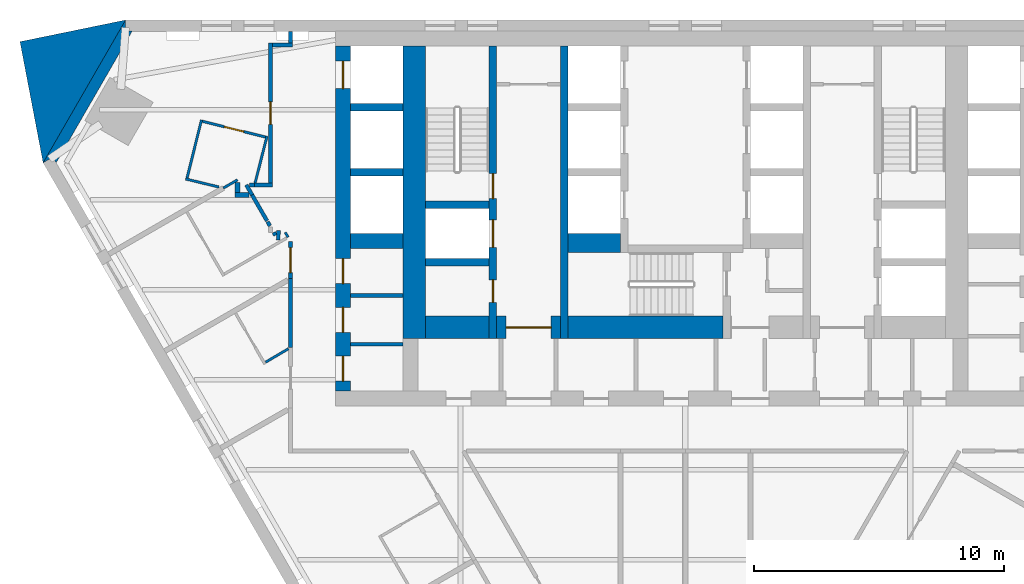
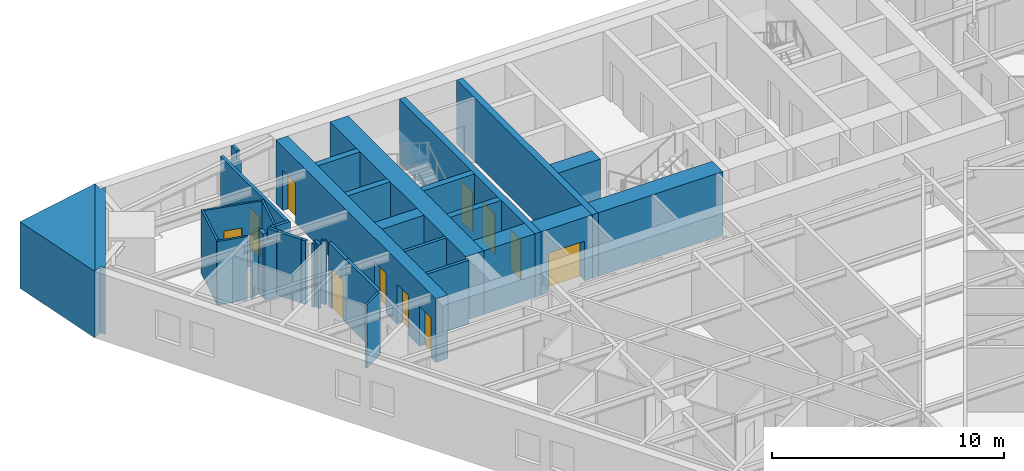
# One storey, part 6 of 10: 38 walls, 11 doors, 11 openings.
"""IFC4 building model written with IfcOpenShell, lengths in metres."""

from ifc_helpers import new_model, si_unit, direction, frame, frame_2d, origin, place, context, subcontext, project, spatial, polyline, rectangle, outline, extrude, material, layer, layer_set, type_object, element, fill, save


model = new_model("IFC4")

# Units and contexts
model_context = context("Model", 3, precision=1e-05, world=origin(), true_north=direction((0.0, 1.0)))
body_context = subcontext(model_context, "Body", "Model", "MODEL_VIEW")
ifc_project = project(units=[si_unit("LENGTHUNIT", "METRE"), si_unit("AREAUNIT", "SQUARE_METRE"), si_unit("VOLUMEUNIT", "CUBIC_METRE"), si_unit("PLANEANGLEUNIT", "RADIAN"), si_unit("MASSUNIT", "GRAM", prefix="KILO")], contexts=[model_context])

# Site, building, storey
site_placement = place(None, origin())
site = spatial("IfcSite", under=ifc_project, at=site_placement, CompositionType="ELEMENT")
building_placement = place(site_placement, origin())
building = spatial("IfcBuilding", under=site, at=building_placement, Name="Aloe Facet Convention Tower", CompositionType="ELEMENT")
storey_placement = place(building_placement, frame((0.0, 0.0, 59.5)))
storey = spatial("IfcBuildingStorey", under=building, at=storey_placement, Name="L13", CompositionType="ELEMENT", Elevation=59.5)

# Walls
ifc_material_1 = material(Name="Concrete blockwork partition", Category="masonry")
ifc_layer_1 = layer(ifc_material_1, 0.14990234375)
ifc_layer_set_1 = layer_set([ifc_layer_1], Name="CR-W-PART150")
wall_type_1 = type_object("IfcWallType", Name="CR-W-PART150", PredefinedType="PARTITIONING", material=ifc_layer_set_1)
for number, where, z_axis, x_axis, name in (
    (1, (66.60009765625, 123.97509765625, 0.0), (0.0, 0.0, 1.0), (1.0, 0.0, 0.0), "Core partition L13-007"),
    (2, (66.60009765625, 122.02490234375, 0.0), (0.0, 0.0, 1.0), (1.0, 0.0, 0.0), "Core partition L13-008"),
):
    element("IfcWall", number, at=place(storey_placement, frame(where, z_axis=z_axis, x_axis=x_axis)), inside=storey, type_object=wall_type_1, Name=name, PredefinedType="PARTITIONING", context=body_context, shape_type="SweptSolid", body=[
        extrude(rectangle(XDim=2.099853515625, YDim=0.14990234375, at=frame_2d((1.0498046875, 0.0))), origin(), (0.0, 0.0, 1.0), 3.35009765625),
    ])
ifc_material_2 = material(Name="Concrete C80/95", Category="concrete")
ifc_layer_2 = layer(ifc_material_2, 0.300048828125)
ifc_layer_set_2 = layer_set([ifc_layer_2], Name="CR-W-RC300-C8095")
wall_type_2 = type_object("IfcWallType", Name="CR-W-RC300-C8095", PredefinedType="SOLIDWALL", material=ifc_layer_set_2)
for number, where, z_axis, x_axis, name in (
    (3, (66.60009765625, 131.5, 0.0), (0.0, 0.0, 1.0), (1.0, 0.0, 0.0), "Core wall L13-004"),
    (4, (66.60009765625, 128.89990234375, 0.0), (0.0, 0.0, 1.0), (1.0, 0.0, 0.0), "Core wall L13-005"),
):
    element("IfcWall", number, at=place(storey_placement, frame(where, z_axis=z_axis, x_axis=x_axis)), inside=storey, type_object=wall_type_2, Name=name, PredefinedType="SOLIDWALL", context=body_context, shape_type="SweptSolid", body=[
        extrude(rectangle(XDim=2.099853515625, YDim=0.300048828125, at=frame_2d((1.0498046875, 0.0))), origin(), (0.0, 0.0, 1.0), 3.35009765625),
    ])
for number, where, z_axis, x_axis, name in (
    (5, (69.60009765625, 127.60009765625, 0.0), (0.0, 0.0, 1.0), (1.0, 0.0, 0.0), "Core wall L13-011"),
    (6, (69.60009765625, 125.300048828125, 0.0), (0.0, 0.0, 1.0), (1.0, 0.0, 0.0), "Core wall L13-012"),
):
    element("IfcWall", number, at=place(storey_placement, frame(where, z_axis=z_axis, x_axis=x_axis)), inside=storey, type_object=wall_type_2, Name=name, PredefinedType="SOLIDWALL", context=body_context, shape_type="SweptSolid", body=[
        extrude(rectangle(XDim=2.5498046875, YDim=0.300048828125, at=frame_2d((1.27490234375, 0.0))), origin(), (0.0, 0.0, 1.0), 3.35009765625),
    ])

# Wall, openings, doors
wall_1_placement = place(storey_placement, frame((72.300048828125, 133.949951171875, 0.0), z_axis=(0.0, 0.0, 1.0), x_axis=(0.0, -1.0, 0.0)))
wall_1 = element("IfcWall", 7, at=wall_1_placement, inside=storey, type_object=wall_type_2, Name="Core wall L13-014", PredefinedType="SOLIDWALL", context=body_context, shape_type="SweptSolid", body=[
    extrude(rectangle(XDim=11.699951171875, YDim=0.300048828125, at=frame_2d((5.85009765625, 0.0))), origin(), (0.0, 0.0, 1.0), 3.35009765625),
])
opening_1_placement = place(wall_1_placement, frame((6.949951171875, 0.0, 0.0)))
opening_1 = element("IfcOpeningElement", 8, at=opening_1_placement, cuts=wall_1, Name="Opening LD-FF1-L13", PredefinedType="OPENING", context=body_context, shape_type="SweptSolid", body=[
    extrude(rectangle(XDim=1.10009765625, YDim=2.10009765625, at=frame_2d((0.550048828125, 1.050048828125))), frame((0.0, 0.16015625, 0.0), z_axis=(0.0, -1.0, 0.0), x_axis=(1.0, 0.0, 0.0)), (0.0, 0.0, 1.0), 0.320068359375),
])
opening_2_placement = place(wall_1_placement, frame((9.35009765625, 0.0, 0.0)))
opening_2 = element("IfcOpeningElement", 9, at=opening_2_placement, cuts=wall_1, Name="Opening L13-CD23", PredefinedType="OPENING", context=body_context, shape_type="SweptSolid", body=[
    extrude(rectangle(XDim=0.89990234375, YDim=2.10009765625, at=frame_2d((0.449951171875, 1.050048828125))), frame((0.0, 0.16015625, 0.0), z_axis=(0.0, -1.0, 0.0), x_axis=(1.0, 0.0, 0.0)), (0.0, 0.0, 1.0), 0.320068359375),
])
opening_3_placement = place(wall_1_placement, frame((5.10009765625, 0.0, 0.0)))
opening_3 = element("IfcOpeningElement", 10, at=opening_3_placement, cuts=wall_1, Name="Opening L13-CD30", PredefinedType="OPENING", context=body_context, shape_type="SweptSolid", body=[
    extrude(rectangle(XDim=1.0, YDim=2.10009765625, at=frame_2d((0.5, 1.050048828125))), frame((0.0, 0.16015625, 0.0), z_axis=(0.0, -1.0, 0.0), x_axis=(1.0, 0.0, 0.0)), (0.0, 0.0, 1.0), 0.320068359375),
])
ifc_material_3 = material(Name="Steel fire-resisting door set FD60", Category="steel")
door_type_1 = type_object("IfcDoorType", Name="CR-D-ROOM-900-FD60-SLEFT", OperationType="SINGLE_SWING_LEFT", PredefinedType="DOOR", material=ifc_material_3)
door_1_placement = place(opening_2_placement, origin())
door_1 = element("IfcDoor", 11, at=door_1_placement, inside=storey, type_object=door_type_1, Name="Core door L13-CD23", OperationType="SINGLE_SWING_LEFT", OverallHeight=2.10009765625, OverallWidth=0.89990234375, PredefinedType="DOOR", context=body_context, shape_type="SweptSolid", body=[
    extrude(rectangle(XDim=0.89990234375, YDim=2.10009765625, at=frame_2d((0.449951171875, 1.050048828125))), frame((0.0, 0.02490234375, 0.0), z_axis=(0.0, -1.0, 0.0), x_axis=(1.0, 0.0, 0.0)), (0.0, 0.0, 1.0), 0.050048828125),
])
fill(opening_2, door_1)
ifc_material_4 = material(Name="Steel fire-resisting door set FD120", Category="steel")
door_type_2 = type_object("IfcDoorType", Name="CR-D-STAIR-1000-FD120-SRIGHT", OperationType="SINGLE_SWING_RIGHT", PredefinedType="DOOR", material=ifc_material_4)
door_2_placement = place(opening_3_placement, origin())
door_2 = element("IfcDoor", 12, at=door_2_placement, inside=storey, type_object=door_type_2, Name="Core door L13-CD30", OperationType="SINGLE_SWING_RIGHT", OverallHeight=2.10009765625, OverallWidth=1.0, PredefinedType="DOOR", context=body_context, shape_type="SweptSolid", body=[
    extrude(rectangle(XDim=1.0, YDim=2.10009765625, at=frame_2d((0.5, 1.050048828125))), frame((0.0, 0.02490234375, 0.0), z_axis=(0.0, -1.0, 0.0), x_axis=(1.0, 0.0, 0.0)), (0.0, 0.0, 1.0), 0.050048828125),
])
fill(opening_3, door_2)
ifc_material_5 = material(Name="Stainless steel sliding landing door", Category="steel")
door_type_3 = type_object("IfcDoorType", Name="CR-LD-1100-FD120-_LEFT", OperationType="SLIDING_TO_LEFT", PredefinedType="DOOR", material=ifc_material_5)
door_3_placement = place(opening_1_placement, origin())
door_3 = element("IfcDoor", 13, at=door_3_placement, inside=storey, type_object=door_type_3, Name="Landing door FF1 L13", OperationType="SLIDING_TO_LEFT", OverallHeight=2.10009765625, OverallWidth=1.10009765625, PredefinedType="DOOR", context=body_context, shape_type="SweptSolid", body=[
    extrude(rectangle(XDim=1.10009765625, YDim=2.10009765625, at=frame_2d((0.550048828125, 1.050048828125))), frame((0.0, 0.02490234375, 0.0), z_axis=(0.0, -1.0, 0.0), x_axis=(1.0, 0.0, 0.0)), (0.0, 0.0, 1.0), 0.050048828125),
])
fill(opening_1, door_3)

# Wall
wall_2_placement = place(storey_placement, frame((75.14990234375, 133.949951171875, 0.0), z_axis=(0.0, 0.0, 1.0), x_axis=(0.0, -1.0, 0.0)))
element("IfcWall", 14, at=wall_2_placement, inside=storey, type_object=wall_type_2, Name="Core wall L13-019", PredefinedType="SOLIDWALL", context=body_context, shape_type="SweptSolid", body=[
    extrude(rectangle(XDim=11.699951171875, YDim=0.300048828125, at=frame_2d((5.85009765625, 0.0))), origin(), (0.0, 0.0, 1.0), 3.35009765625),
])

# Wall, openings, doors
ifc_material_6 = material(Name="Concrete C80/95", Category="concrete")
ifc_layer_3 = layer(ifc_material_6, 0.60009765625)
ifc_layer_set_3 = layer_set([ifc_layer_3], Name="CR-W-RC600-C8095")
wall_type_3 = type_object("IfcWallType", Name="CR-W-RC600-C8095", PredefinedType="SOLIDWALL", material=ifc_layer_set_3)
wall_3_placement = place(storey_placement, frame((66.300048828125, 133.949951171875, 0.0), z_axis=(0.0, 0.0, 1.0), x_axis=(0.0, -1.0, 0.0)))
wall_3 = element("IfcWall", 15, at=wall_3_placement, inside=storey, type_object=wall_type_3, Name="Core wall L13-002", PredefinedType="SOLIDWALL", context=body_context, shape_type="SweptSolid", body=[
    extrude(rectangle(XDim=13.800048828125, YDim=0.60009765625, at=frame_2d((6.89990234375, 0.0))), origin(), (0.0, 0.0, 1.0), 3.35009765625),
])
opening_4_placement = place(wall_3_placement, frame((0.60009765625, 0.0, 0.0)))
opening_4 = element("IfcOpeningElement", 16, at=opening_4_placement, cuts=wall_3, Name="Opening LD-A7-L13", PredefinedType="OPENING", context=body_context, shape_type="SweptSolid", body=[
    extrude(rectangle(XDim=1.10009765625, YDim=2.10009765625, at=frame_2d((0.550048828125, 1.050048828125))), frame((0.0, 0.31005859375, 0.0), z_axis=(0.0, -1.0, 0.0), x_axis=(1.0, 0.0, 0.0)), (0.0, 0.0, 1.0), 0.6201171875),
])
opening_5_placement = place(wall_3_placement, frame((12.39990234375, 0.0, 0.0)))
opening_5 = element("IfcOpeningElement", 17, at=opening_5_placement, cuts=wall_3, Name="Opening L13-CD34", PredefinedType="OPENING", context=body_context, shape_type="SweptSolid", body=[
    extrude(rectangle(XDim=1.0, YDim=2.10009765625, at=frame_2d((0.5, 1.050048828125))), frame((0.0, 0.31005859375, 0.0), z_axis=(0.0, -1.0, 0.0), x_axis=(1.0, 0.0, 0.0)), (0.0, 0.0, 1.0), 0.6201171875),
])
opening_6_placement = place(wall_3_placement, frame((8.5, 0.0, 0.0)))
opening_6 = element("IfcOpeningElement", 18, at=opening_6_placement, cuts=wall_3, Name="Opening L13-CD35", PredefinedType="OPENING", context=body_context, shape_type="SweptSolid", body=[
    extrude(rectangle(XDim=1.0, YDim=2.10009765625, at=frame_2d((0.5, 1.050048828125))), frame((0.0, 0.31005859375, 0.0), z_axis=(0.0, -1.0, 0.0), x_axis=(1.0, 0.0, 0.0)), (0.0, 0.0, 1.0), 0.6201171875),
])
opening_7_placement = place(wall_3_placement, frame((10.449951171875, 0.0, 0.0)))
opening_7 = element("IfcOpeningElement", 19, at=opening_7_placement, cuts=wall_3, Name="Opening L13-CD36", PredefinedType="OPENING", context=body_context, shape_type="SweptSolid", body=[
    extrude(rectangle(XDim=1.0, YDim=2.10009765625, at=frame_2d((0.5, 1.050048828125))), frame((0.0, 0.31005859375, 0.0), z_axis=(0.0, -1.0, 0.0), x_axis=(1.0, 0.0, 0.0)), (0.0, 0.0, 1.0), 0.6201171875),
])
ifc_material_7 = material(Name="Steel fire-resisting door set FD60", Category="steel")
door_type_4 = type_object("IfcDoorType", Name="CR-D-ROOM-1000-FD60-SLEFT", OperationType="SINGLE_SWING_LEFT", PredefinedType="DOOR", material=ifc_material_7)
door_4_placement = place(opening_5_placement, origin())
door_4 = element("IfcDoor", 20, at=door_4_placement, inside=storey, type_object=door_type_4, Name="Core door L13-CD34", OperationType="SINGLE_SWING_LEFT", OverallHeight=2.10009765625, OverallWidth=1.0, PredefinedType="DOOR", context=body_context, shape_type="SweptSolid", body=[
    extrude(rectangle(XDim=1.0, YDim=2.10009765625, at=frame_2d((0.5, 1.050048828125))), frame((0.0, 0.02490234375, 0.0), z_axis=(0.0, -1.0, 0.0), x_axis=(1.0, 0.0, 0.0)), (0.0, 0.0, 1.0), 0.050048828125),
])
fill(opening_5, door_4)
door_5_placement = place(opening_6_placement, origin())
door_5 = element("IfcDoor", 21, at=door_5_placement, inside=storey, type_object=door_type_4, Name="Core door L13-CD35", OperationType="SINGLE_SWING_LEFT", OverallHeight=2.10009765625, OverallWidth=1.0, PredefinedType="DOOR", context=body_context, shape_type="SweptSolid", body=[
    extrude(rectangle(XDim=1.0, YDim=2.10009765625, at=frame_2d((0.5, 1.050048828125))), frame((0.0, 0.02490234375, 0.0), z_axis=(0.0, -1.0, 0.0), x_axis=(1.0, 0.0, 0.0)), (0.0, 0.0, 1.0), 0.050048828125),
])
fill(opening_6, door_5)
door_6_placement = place(opening_7_placement, origin())
door_6 = element("IfcDoor", 22, at=door_6_placement, inside=storey, type_object=door_type_4, Name="Core door L13-CD36", OperationType="SINGLE_SWING_LEFT", OverallHeight=2.10009765625, OverallWidth=1.0, PredefinedType="DOOR", context=body_context, shape_type="SweptSolid", body=[
    extrude(rectangle(XDim=1.0, YDim=2.10009765625, at=frame_2d((0.5, 1.050048828125))), frame((0.0, 0.02490234375, 0.0), z_axis=(0.0, -1.0, 0.0), x_axis=(1.0, 0.0, 0.0)), (0.0, 0.0, 1.0), 0.050048828125),
])
fill(opening_7, door_6)
ifc_material_8 = material(Name="Stainless steel sliding landing door", Category="steel")
door_type_5 = type_object("IfcDoorType", Name="CR-LD-1100-FD60-_LEFT", OperationType="SLIDING_TO_LEFT", PredefinedType="DOOR", material=ifc_material_8)
door_7_placement = place(opening_4_placement, origin())
door_7 = element("IfcDoor", 23, at=door_7_placement, inside=storey, type_object=door_type_5, Name="Landing door A7 L13", OperationType="SLIDING_TO_LEFT", OverallHeight=2.10009765625, OverallWidth=1.10009765625, PredefinedType="DOOR", context=body_context, shape_type="SweptSolid", body=[
    extrude(rectangle(XDim=1.10009765625, YDim=2.10009765625, at=frame_2d((0.550048828125, 1.050048828125))), frame((0.0, 0.02490234375, 0.0), z_axis=(0.0, -1.0, 0.0), x_axis=(1.0, 0.0, 0.0)), (0.0, 0.0, 1.0), 0.050048828125),
])
fill(opening_4, door_7)

# Walls
wall_4_placement = place(storey_placement, frame((66.60009765625, 126.14990234375, 0.0), z_axis=(0.0, 0.0, 1.0), x_axis=(1.0, 0.0, 0.0)))
element("IfcWall", 24, at=wall_4_placement, inside=storey, type_object=wall_type_3, Name="Core wall L13-006", PredefinedType="SOLIDWALL", context=body_context, shape_type="SweptSolid", body=[
    extrude(rectangle(XDim=2.099853515625, YDim=0.60009765625, at=frame_2d((1.0498046875, 0.0))), origin(), (0.0, 0.0, 1.0), 3.35009765625),
])
ifc_material_9 = material(Name="Concrete C80/95", Category="concrete")
ifc_layer_4 = layer(ifc_material_9, 0.75)
ifc_layer_set_4 = layer_set([ifc_layer_4], Name="CR-W-RC750-C8095")
wall_type_4 = type_object("IfcWallType", Name="CR-W-RC750-C8095", PredefinedType="SOLIDWALL", material=ifc_layer_set_4)
wall_5_placement = place(storey_placement, frame((75.300048828125, 126.074951171875, 0.0), z_axis=(0.0, 0.0, 1.0), x_axis=(1.0, 0.0, 0.0)))
element("IfcWall", 25, at=wall_5_placement, inside=storey, type_object=wall_type_4, Name="Core wall L13-022", PredefinedType="SOLIDWALL", context=body_context, shape_type="SweptSolid", body=[
    extrude(rectangle(XDim=2.099853515625, YDim=0.75, at=frame_2d((1.0498046875, 0.0))), origin(), (0.0, 0.0, 1.0), 3.35009765625),
])
ifc_material_10 = material(Name="Concrete C80/95", Category="concrete")
ifc_layer_5 = layer(ifc_material_10, 0.89990234375)
ifc_layer_set_5 = layer_set([ifc_layer_5], Name="CR-W-RC900-C8095")
wall_type_5 = type_object("IfcWallType", Name="CR-W-RC900-C8095", PredefinedType="SOLIDWALL", material=ifc_layer_set_5)
wall_6_placement = place(storey_placement, frame((69.14990234375, 133.949951171875, 0.0), z_axis=(0.0, 0.0, 1.0), x_axis=(0.0, -1.0, 0.0)))
element("IfcWall", 26, at=wall_6_placement, inside=storey, type_object=wall_type_5, Name="Core wall L13-009", PredefinedType="SOLIDWALL", context=body_context, shape_type="SweptSolid", body=[
    extrude(rectangle(XDim=11.699951171875, YDim=0.89990234375, at=frame_2d((5.85009765625, 0.0))), origin(), (0.0, 0.0, 1.0), 3.35009765625),
])
wall_7_placement = place(storey_placement, frame((69.60009765625, 122.699951171875, 0.0), z_axis=(0.0, 0.0, 1.0), x_axis=(1.0, 0.0, 0.0)))
element("IfcWall", 27, at=wall_7_placement, inside=storey, type_object=wall_type_5, Name="Core wall L13-013", PredefinedType="SOLIDWALL", context=body_context, shape_type="SweptSolid", body=[
    extrude(rectangle(XDim=2.5498046875, YDim=0.89990234375, at=frame_2d((1.27490234375, 0.0))), origin(), (0.0, 0.0, 1.0), 3.35009765625),
])

# Wall, opening, door
wall_8_placement = place(storey_placement, frame((72.449951171875, 122.699951171875, 0.0), z_axis=(0.0, 0.0, 1.0), x_axis=(1.0, 0.0, 0.0)))
wall_8 = element("IfcWall", 28, at=wall_8_placement, inside=storey, type_object=wall_type_5, Name="Core wall L13-016", PredefinedType="SOLIDWALL", context=body_context, shape_type="SweptSolid", body=[
    extrude(rectangle(XDim=2.550048828125, YDim=0.89990234375, at=frame_2d((1.27490234375, 0.0))), origin(), (0.0, 0.0, 1.0), 3.35009765625),
])
opening_8_placement = place(wall_8_placement, frame((0.375, 0.0, 0.0)))
opening_8 = element("IfcOpeningElement", 29, at=opening_8_placement, cuts=wall_8, Name="Opening L13-CD15", PredefinedType="OPENING", context=body_context, shape_type="SweptSolid", body=[
    extrude(rectangle(XDim=1.800048828125, YDim=2.10009765625, at=frame_2d((0.89990234375, 1.050048828125))), frame((0.0, 0.4599609375, 0.0), z_axis=(0.0, -1.0, 0.0), x_axis=(1.0, 0.0, 0.0)), (0.0, 0.0, 1.0), 0.919921875),
])
ifc_material_11 = material(Name="Steel fire-resisting door set FD120", Category="steel")
door_type_6 = type_object("IfcDoorType", Name="CR-D-EXIT-1800-FD120-DD", OperationType="DOUBLE_DOOR_DOUBLE_SWING", PredefinedType="DOOR", material=ifc_material_11)
door_8_placement = place(opening_8_placement, origin())
door_8 = element("IfcDoor", 30, at=door_8_placement, inside=storey, type_object=door_type_6, Name="Core door L13-CD15", OperationType="DOUBLE_DOOR_DOUBLE_SWING", OverallHeight=2.10009765625, OverallWidth=1.800048828125, PredefinedType="DOOR", context=body_context, shape_type="SweptSolid", body=[
    extrude(rectangle(XDim=1.800048828125, YDim=2.10009765625, at=frame_2d((0.89990234375, 1.050048828125))), frame((0.0, 0.02490234375, 0.0), z_axis=(0.0, -1.0, 0.0), x_axis=(1.0, 0.0, 0.0)), (0.0, 0.0, 1.0), 0.050048828125),
])
fill(opening_8, door_8)

# Walls
wall_9_placement = place(storey_placement, frame((75.300048828125, 122.699951171875, 0.0), z_axis=(0.0, 0.0, 1.0), x_axis=(1.0, 0.0, 0.0)))
element("IfcWall", 31, at=wall_9_placement, inside=storey, type_object=wall_type_5, Name="Core wall L13-023", PredefinedType="SOLIDWALL", context=body_context, shape_type="SweptSolid", body=[
    extrude(rectangle(XDim=6.199951171875, YDim=0.89990234375, at=frame_2d((3.10009765625, 0.0))), origin(), (0.0, 0.0, 1.0), 3.35009765625),
])
ifc_material_12 = material(Name="Precast concrete C40/50", Category="concrete")
ifc_layer_6 = layer(ifc_material_12, 0.449951171875)
ifc_layer_set_6 = layer_set([ifc_layer_6], Name="EV-WALL-PIER")
wall_type_6 = type_object("IfcWallType", Name="EV-WALL-PIER", PredefinedType="SOLIDWALL", material=ifc_layer_set_6)
wall_10_placement = place(storey_placement, frame((0.0, 0.0, -0.14990234375)))
element("IfcWall", 32, at=wall_10_placement, inside=storey, type_object=wall_type_6, Name="EP-L13-A", PredefinedType="SOLIDWALL", context=body_context, shape_type="SweptSolid", body=[
    extrude(outline(polyline([(57.60009765625, 135.0), (57.60009765625, 134.550048828125), (57.85986328125, 134.550048828125), (54.819580078125, 129.2841796875), (54.689697265625, 129.50927734375), (54.300048828125, 129.2841796875), (57.60009765625, 135.0)])), origin(), (0.0, 0.0, 1.0), 3.5),
])
ifc_material_13 = material(Name="Precast concrete C40/50", Category="concrete")
ifc_layer_7 = layer(ifc_material_13, 3.947998046875)
ifc_layer_set_7 = layer_set([ifc_layer_7], Name="EV-WALL-SPINE")
wall_type_7 = type_object("IfcWallType", Name="EV-WALL-SPINE", PredefinedType="SOLIDWALL", material=ifc_layer_set_7)
wall_11_placement = place(storey_placement, frame((0.0, 0.0, -0.14990234375)))
element("IfcWall", 33, at=wall_11_placement, inside=storey, type_object=wall_type_7, Name="SP-NW-L13", PredefinedType="SOLIDWALL", context=body_context, shape_type="SweptSolid", body=[
    extrude(outline(polyline([(57.60009765625, 135.0), (53.374267578125, 134.132080078125), (54.300048828125, 129.2841796875), (57.60009765625, 135.0)])), origin(), (0.0, 0.0, 1.0), 3.5),
])

# Wall, opening, door
ifc_material_14 = material(Name="Gypsum board partition on steel studs", Category="steel")
ifc_layer_8 = layer(ifc_material_14, 0.14990234375)
ifc_layer_set_8 = layer_set([ifc_layer_8], Name="IN-W-CORR")
wall_type_8 = type_object("IfcWallType", Name="IN-W-CORR", PredefinedType="PARTITIONING", material=ifc_layer_set_8)
wall_12_placement = place(storey_placement, frame((64.199951171875, 124.65380859375, 0.0), z_axis=(0.0, 0.0, 1.0), x_axis=(0.0, 1.0, 0.0)))
wall_12 = element("IfcWall", 34, at=wall_12_placement, inside=storey, type_object=wall_type_8, Name="Partition L13-W088", PredefinedType="PARTITIONING", context=body_context, shape_type="SweptSolid", body=[
    extrude(rectangle(XDim=1.483154296875, YDim=0.14990234375, at=frame_2d((0.74169921875, 0.0))), origin(), (0.0, 0.0, 1.0), 3.35009765625),
])
opening_9_placement = place(wall_12_placement, frame((0.241455078125, 0.0, 0.0)))
opening_9 = element("IfcOpeningElement", 35, at=opening_9_placement, cuts=wall_12, Name="Opening L13-003", PredefinedType="OPENING", context=body_context, shape_type="SweptSolid", body=[
    extrude(rectangle(XDim=1.0, YDim=2.10009765625, at=frame_2d((0.5, 1.050048828125))), frame((0.0, 0.0849609375, 0.0), z_axis=(0.0, -1.0, 0.0), x_axis=(1.0, 0.0, 0.0)), (0.0, 0.0, 1.0), 0.169921875),
])
ifc_material_15 = material(Name="Hardwood flush door FD30S", Category="wood")
door_type_7 = type_object("IfcDoorType", Name="IN-D-WIDE", OperationType="SINGLE_SWING_LEFT", PredefinedType="DOOR", material=ifc_material_15)
door_9_placement = place(opening_9_placement, origin())
door_9 = element("IfcDoor", 36, at=door_9_placement, inside=storey, type_object=door_type_7, Name="Door L13-003", OperationType="SINGLE_SWING_LEFT", OverallHeight=2.10009765625, OverallWidth=1.0, PredefinedType="DOOR", context=body_context, shape_type="SweptSolid", body=[
    extrude(rectangle(XDim=1.0, YDim=2.10009765625, at=frame_2d((0.5, 1.050048828125))), frame((0.0, 0.02490234375, 0.0), z_axis=(0.0, -1.0, 0.0), x_axis=(1.0, 0.0, 0.0)), (0.0, 0.0, 1.0), 0.050048828125),
])
fill(opening_9, door_9)

# Walls
wall_13_placement = place(storey_placement, frame((64.199951171875, 121.89404296875, 0.0), z_axis=(0.0, 0.0, 1.0), x_axis=(0.0, 1.0, 0.0)))
element("IfcWall", 37, at=wall_13_placement, inside=storey, type_object=wall_type_8, Name="Partition L13-W089", PredefinedType="PARTITIONING", context=body_context, shape_type="SweptSolid", body=[
    extrude(rectangle(XDim=2.759765625, YDim=0.14990234375, at=frame_2d((1.3798828125, 0.0))), origin(), (0.0, 0.0, 1.0), 3.35009765625),
])
wall_14_placement = place(storey_placement, frame((63.702880859375, 126.196044921875, 0.0), z_axis=(0.0, 0.0, 1.0), x_axis=(0.048910464365, 0.998803167033, 0.0)))
element("IfcWall", 38, at=wall_14_placement, inside=storey, type_object=wall_type_8, Name="Partition L13-W095", PredefinedType="PARTITIONING", context=body_context, shape_type="SweptSolid", body=[
    extrude(rectangle(XDim=0.37939453125, YDim=0.14990234375, at=frame_2d((0.189697265625, 0.0))), origin(), (0.0, 0.0, 1.0), 3.35009765625),
])
wall_15_placement = place(storey_placement, frame((62.661376953125, 128.0, 0.0), z_axis=(0.0, 0.0, 1.0), x_axis=(0.499910707084, -0.866076950936, 0.0)))
element("IfcWall", 39, at=wall_15_placement, inside=storey, type_object=wall_type_8, Name="Partition L13-W112", PredefinedType="PARTITIONING", context=body_context, shape_type="SweptSolid", body=[
    extrude(rectangle(XDim=1.197509765625, YDim=0.14990234375, at=frame_2d((0.5986328125, 0.0))), origin(), (0.0, 0.0, 1.0), 3.35009765625),
])
wall_16_placement = place(storey_placement, frame((62.762451171875, 128.39990234375, 0.0), z_axis=(0.0, 0.0, 1.0), x_axis=(1.0, 0.0, 0.0)))
element("IfcWall", 40, at=wall_16_placement, inside=storey, type_object=wall_type_8, Name="Partition L13-W121", PredefinedType="PARTITIONING", context=body_context, shape_type="SweptSolid", body=[
    extrude(rectangle(XDim=0.712646484375, YDim=0.14990234375, at=frame_2d((0.3564453125, 0.0))), origin(), (0.0, 0.0, 1.0), 3.35009765625),
])

# Wall, opening, door
wall_17_placement = place(storey_placement, frame((63.39990234375, 128.47509765625, 0.0), z_axis=(0.0, 0.0, 1.0), x_axis=(0.0, 1.0, 0.0)))
wall_17 = element("IfcWall", 41, at=wall_17_placement, inside=storey, type_object=wall_type_8, Name="Partition L13-W122", PredefinedType="PARTITIONING", context=body_context, shape_type="SweptSolid", body=[
    extrude(rectangle(XDim=5.599365234375, YDim=0.14990234375, at=frame_2d((2.7998046875, 0.0))), origin(), (0.0, 0.0, 1.0), 3.35009765625),
])
opening_10_placement = place(wall_17_placement, frame((2.349853515625, 0.0, 0.0)))
opening_10 = element("IfcOpeningElement", 42, at=opening_10_placement, cuts=wall_17, Name="Opening L13-002", PredefinedType="OPENING", context=body_context, shape_type="SweptSolid", body=[
    extrude(rectangle(XDim=0.89990234375, YDim=2.10009765625, at=frame_2d((0.449951171875, 1.050048828125))), frame((0.0, 0.0849609375, 0.0), z_axis=(0.0, -1.0, 0.0), x_axis=(1.0, 0.0, 0.0)), (0.0, 0.0, 1.0), 0.169921875),
])
ifc_material_16 = material(Name="Hardwood flush door FD30S", Category="wood")
door_type_8 = type_object("IfcDoorType", Name="IN-D-GUEST", OperationType="SINGLE_SWING_LEFT", PredefinedType="DOOR", material=ifc_material_16)
door_10_placement = place(opening_10_placement, origin())
door_10 = element("IfcDoor", 43, at=door_10_placement, inside=storey, type_object=door_type_8, Name="Door L13-002", OperationType="SINGLE_SWING_LEFT", OverallHeight=2.10009765625, OverallWidth=0.89990234375, PredefinedType="DOOR", context=body_context, shape_type="SweptSolid", body=[
    extrude(rectangle(XDim=0.89990234375, YDim=2.10009765625, at=frame_2d((0.449951171875, 1.050048828125))), frame((0.0, 0.02490234375, 0.0), z_axis=(0.0, -1.0, 0.0), x_axis=(1.0, 0.0, 0.0)), (0.0, 0.0, 1.0), 0.050048828125),
])
fill(opening_10, door_10)

# Walls
wall_18_placement = place(storey_placement, frame((62.4296875, 128.40087890625, 0.0), z_axis=(0.0, 0.0, 1.0), x_axis=(0.500391795928, -0.865799082101, 0.0)))
element("IfcWall", 44, at=wall_18_placement, inside=storey, type_object=wall_type_8, Name="Partition L13-W124", PredefinedType="PARTITIONING", context=body_context, shape_type="SweptSolid", body=[
    extrude(rectangle(XDim=0.463134765625, YDim=0.14990234375, at=frame_2d((0.2314453125, 0.0))), origin(), (0.0, 0.0, 1.0), 3.35009765625),
])
wall_19_placement = place(storey_placement, frame((62.56005859375, 128.400634765625, 0.0), z_axis=(0.0, 0.0, 1.0), x_axis=(0.999993452143, -0.003618794157, 0.0)))
element("IfcWall", 45, at=wall_19_placement, inside=storey, type_object=wall_type_8, Name="Partition L13-W125", PredefinedType="PARTITIONING", context=body_context, shape_type="SweptSolid", body=[
    extrude(rectangle(XDim=0.202392578125, YDim=0.14990234375, at=frame_2d((0.10107421875, 0.0))), origin(), (0.0, 0.0, 1.0), 3.35009765625),
])
wall_20_placement = place(storey_placement, frame((63.47509765625, 133.99951171875, 0.0), z_axis=(0.0, 0.0, 1.0), x_axis=(0.999999813645, 0.000610500497, 0.0)))
element("IfcWall", 46, at=wall_20_placement, inside=storey, type_object=wall_type_8, Name="Partition L13-W138", PredefinedType="PARTITIONING", context=body_context, shape_type="SweptSolid", body=[
    extrude(rectangle(XDim=0.7998046875, YDim=0.14990234375, at=frame_2d((0.39990234375, 0.0))), origin(), (0.0, 0.0, 1.0), 2.88671875),
])
wall_21_placement = place(storey_placement, frame((64.199951171875, 134.074951171875, 0.0), z_axis=(0.0, 0.0, 1.0), x_axis=(0.0, 1.0, 0.0)))
element("IfcWall", 47, at=wall_21_placement, inside=storey, type_object=wall_type_8, Name="Partition L13-W139", PredefinedType="PARTITIONING", context=body_context, shape_type="SweptSolid", body=[
    extrude(rectangle(XDim=0.465087890625, YDim=0.14990234375, at=frame_2d((0.232421875, 0.0))), origin(), (0.0, 0.0, 1.0), 3.35009765625),
])
wall_22_placement = place(storey_placement, frame((63.280029296875, 126.92822265625, 0.0), z_axis=(0.0, 0.0, 1.0), x_axis=(0.500340588408, -0.865828675658, 0.0)))
element("IfcWall", 48, at=wall_22_placement, inside=storey, type_object=wall_type_8, Name="Partition L13-W144", PredefinedType="PARTITIONING", context=body_context, shape_type="SweptSolid", body=[
    extrude(rectangle(XDim=0.193603515625, YDim=0.14990234375, at=frame_2d((0.0966796875, 0.0))), origin(), (0.0, 0.0, 1.0), 3.35009765625),
])
wall_23_placement = place(storey_placement, frame((63.52734375, 126.5, 0.0), z_axis=(0.0, 0.0, 1.0), x_axis=(0.499925626596, -0.866068339032, 0.0)))
element("IfcWall", 49, at=wall_23_placement, inside=storey, type_object=wall_type_8, Name="Partition L13-W145", PredefinedType="PARTITIONING", context=body_context, shape_type="SweptSolid", body=[
    extrude(rectangle(XDim=0.138671875, YDim=0.14990234375, at=frame_2d((0.0693359375, 0.0))), origin(), (0.0, 0.0, 1.0), 3.35009765625),
])
ifc_material_17 = material(Name="Gypsum board partition on steel studs", Category="steel")
ifc_layer_9 = layer(ifc_material_17, 0.10009765625)
ifc_layer_set_9 = layer_set([ifc_layer_9], Name="IN-W-PART")
wall_type_9 = type_object("IfcWallType", Name="IN-W-PART", PredefinedType="PARTITIONING", material=ifc_layer_set_9)
wall_24_placement = place(storey_placement, frame((63.199951171875, 121.305908203125, 0.0), z_axis=(0.0, 0.0, 1.0), x_axis=(0.86196956313, 0.506960030216, 0.0)))
element("IfcWall", 50, at=wall_24_placement, inside=storey, type_object=wall_type_9, Name="Partition L13-W084", PredefinedType="PARTITIONING", context=body_context, shape_type="SweptSolid", body=[
    extrude(rectangle(XDim=1.065185546875, YDim=0.10009765625, at=frame_2d((0.53271484375, 0.0))), origin(), (0.0, 0.0, 1.0), 3.35009765625),
])
wall_25_placement = place(storey_placement, frame((61.51025390625, 128.27392578125, 0.0), z_axis=(0.0, 0.0, 1.0), x_axis=(0.865950774653, 0.500129239174, 0.0)))
element("IfcWall", 51, at=wall_25_placement, inside=storey, type_object=wall_type_9, Name="Partition L13-W110", PredefinedType="PARTITIONING", context=body_context, shape_type="SweptSolid", body=[
    extrude(rectangle(XDim=0.657958984375, YDim=0.10009765625, at=frame_2d((0.3291015625, 0.0))), origin(), (0.0, 0.0, 1.0), 3.35009765625),
])
wall_26_placement = place(storey_placement, frame((59.99853515625, 128.6396484375, 0.0), z_axis=(0.0, 0.0, 1.0), x_axis=(0.971982983632, -0.235051227457, 0.0)))
element("IfcWall", 52, at=wall_26_placement, inside=storey, type_object=wall_type_9, Name="Partition L13-W118", PredefinedType="PARTITIONING", context=body_context, shape_type="SweptSolid", body=[
    extrude(rectangle(XDim=1.375244140625, YDim=0.10009765625, at=frame_2d((0.6875, 0.0))), origin(), (0.0, 0.0, 1.0), 3.35009765625),
])
wall_27_placement = place(storey_placement, frame((60.05908203125, 128.67626953125, 0.0), z_axis=(0.0, 0.0, 1.0), x_axis=(0.24148238487, 0.970405202891, 0.0)))
element("IfcWall", 53, at=wall_27_placement, inside=storey, type_object=wall_type_9, Name="Partition L13-W132", PredefinedType="PARTITIONING", context=body_context, shape_type="SweptSolid", body=[
    extrude(rectangle(XDim=2.400146484375, YDim=0.10009765625, at=frame_2d((1.2001953125, 0.0))), origin(), (0.0, 0.0, 1.0), 3.35009765625),
])
wall_28_placement = place(storey_placement, frame((62.78076171875, 128.47265625, 0.0), z_axis=(0.0, 0.0, 1.0), x_axis=(0.246470885885, 0.969150196002, 0.0)))
element("IfcWall", 54, at=wall_28_placement, inside=storey, type_object=wall_type_9, Name="Partition L13-W133", PredefinedType="PARTITIONING", context=body_context, shape_type="SweptSolid", body=[
    extrude(rectangle(XDim=1.9404296875, YDim=0.10009765625, at=frame_2d((0.97021484375, 0.0))), origin(), (0.0, 0.0, 1.0), 3.35009765625),
])

# Wall, opening, door
wall_29_placement = place(storey_placement, frame((60.675048828125, 130.94482421875, 0.0), z_axis=(0.0, 0.0, 1.0), x_axis=(0.970401535632, -0.241497121398, 0.0)))
wall_29 = element("IfcWall", 55, at=wall_29_placement, inside=storey, type_object=wall_type_9, Name="Partition L13-W136", PredefinedType="PARTITIONING", context=body_context, shape_type="SweptSolid", body=[
    extrude(rectangle(XDim=2.60009765625, YDim=0.10009765625, at=frame_2d((1.300048828125, 0.0))), origin(), (0.0, 0.0, 1.0), 3.35009765625),
])
opening_11_placement = place(wall_29_placement, frame((0.89990234375, 0.0, 0.0)))
opening_11 = element("IfcOpeningElement", 56, at=opening_11_placement, cuts=wall_29, Name="Opening L13-019", PredefinedType="OPENING", context=body_context, shape_type="SweptSolid", body=[
    extrude(rectangle(XDim=0.800048828125, YDim=2.10009765625, at=frame_2d((0.39990234375, 1.050048828125))), frame((0.0, 0.06005859375, 0.0), z_axis=(0.0, -1.0, 0.0), x_axis=(1.0, 0.0, 0.0)), (0.0, 0.0, 1.0), 0.1201171875),
])
ifc_material_18 = material(Name="Timber flush door", Category="wood")
door_type_9 = type_object("IfcDoorType", Name="IN-D-BATH", OperationType="SINGLE_SWING_LEFT", PredefinedType="DOOR", material=ifc_material_18)
door_11_placement = place(opening_11_placement, origin())
door_11 = element("IfcDoor", 57, at=door_11_placement, inside=storey, type_object=door_type_9, Name="Door L13-019", OperationType="SINGLE_SWING_LEFT", OverallHeight=2.10009765625, OverallWidth=0.800048828125, PredefinedType="DOOR", context=body_context, shape_type="SweptSolid", body=[
    extrude(rectangle(XDim=0.800048828125, YDim=2.10009765625, at=frame_2d((0.39990234375, 1.050048828125))), frame((0.0, 0.02490234375, 0.0), z_axis=(0.0, -1.0, 0.0), x_axis=(1.0, 0.0, 0.0)), (0.0, 0.0, 1.0), 0.050048828125),
])
fill(opening_11, door_11)

# Walls
wall_30_placement = place(storey_placement, frame((63.990478515625, 126.5, 0.0), z_axis=(0.0, 0.0, 1.0), x_axis=(0.500132045864, -0.865949153646, 0.0)))
element("IfcWall", 58, at=wall_30_placement, inside=storey, type_object=wall_type_9, Name="Partition L13-W143", PredefinedType="PARTITIONING", context=body_context, shape_type="SweptSolid", body=[
    extrude(rectangle(XDim=0.2236328125, YDim=0.10009765625, at=frame_2d((0.11181640625, 0.0))), origin(), (0.0, 0.0, 1.0), 3.35009765625),
])
ifc_material_19 = material(Name="Gypsum board partition on steel studs", Category="steel")
ifc_layer_10 = layer(ifc_material_19, 0.199951171875)
ifc_layer_set_10 = layer_set([ifc_layer_10], Name="IN-W-PARTY")
wall_type_10 = type_object("IfcWallType", Name="IN-W-PARTY", PredefinedType="PARTITIONING", material=ifc_layer_set_10)
wall_31_placement = place(storey_placement, frame((61.97998046875, 128.0, 0.0), z_axis=(0.0, 0.0, 1.0), x_axis=(1.0, 0.0, 0.0)))
element("IfcWall", 59, at=wall_31_placement, inside=storey, type_object=wall_type_10, Name="Partition L13-W111", PredefinedType="PARTITIONING", context=body_context, shape_type="SweptSolid", body=[
    extrude(rectangle(XDim=0.556396484375, YDim=0.199951171875, at=frame_2d((0.2783203125, 0.0))), origin(), (0.0, 0.0, 1.0), 2.9375),
])
wall_32_placement = place(storey_placement, frame((62.080078125, 128.10009765625, 0.0), z_axis=(0.0, 0.0, 1.0), x_axis=(0.0, 1.0, 0.0)))
element("IfcWall", 60, at=wall_32_placement, inside=storey, type_object=wall_type_10, Name="Partition L13-W131", PredefinedType="PARTITIONING", context=body_context, shape_type="SweptSolid", body=[
    extrude(rectangle(XDim=0.387451171875, YDim=0.199951171875, at=frame_2d((0.19384765625, 0.0))), origin(), (0.0, 0.0, 1.0), 3.35009765625),
])

save(model, "model.ifc")
